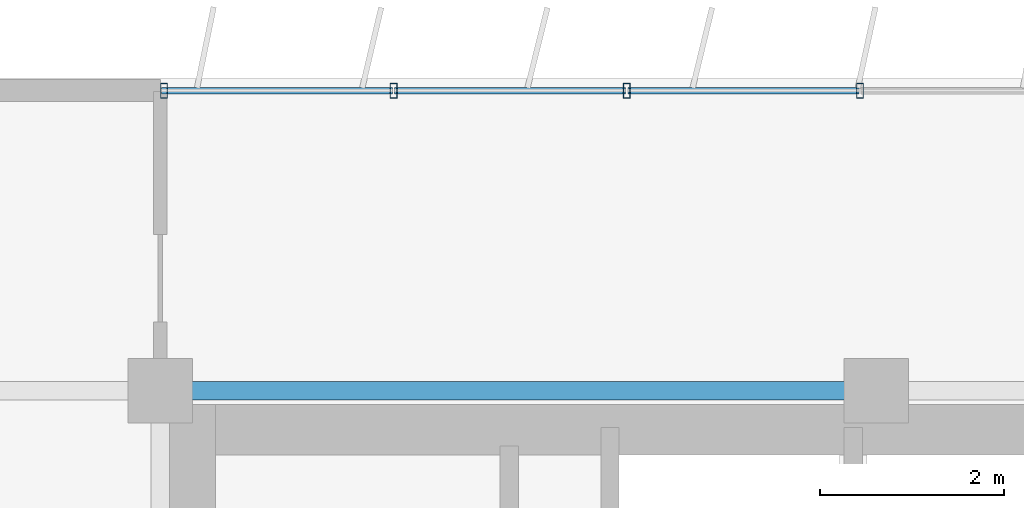
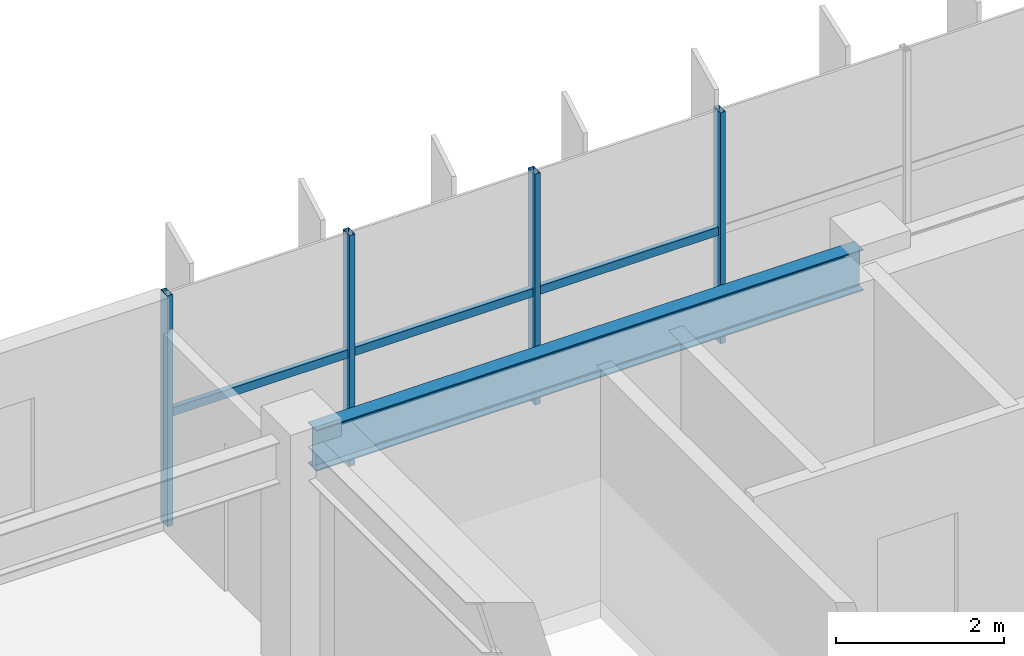
# One storey, part 4 of 20: 7 members, 1 beam, 1 element without a shape of its own.
"""IFC4 building model written with IfcOpenShell, lengths in metres."""

from ifc_helpers import new_model, si_unit, direction, frame, origin, origin_2d, place, context, subcontext, project, spatial, hollow_rectangle, i_section, extrude, source, transform, mapped, material, material_profile, profile_set, type_object, element, aggregate, save


model = new_model("IFC4")

# Units and contexts
model_context = context("Model", 3, precision=1e-05, world=origin(), true_north=direction((0.0, 1.0)))
body_context = subcontext(model_context, "Body", "Model", "MODEL_VIEW")
ifc_project = project(units=[si_unit("LENGTHUNIT", "METRE"), si_unit("AREAUNIT", "SQUARE_METRE"), si_unit("VOLUMEUNIT", "CUBIC_METRE"), si_unit("PLANEANGLEUNIT", "RADIAN"), si_unit("MASSUNIT", "GRAM", prefix="KILO")], contexts=[model_context])

# Site, building, storey
site_placement = place(None, origin())
site = spatial("IfcSite", under=ifc_project, at=site_placement, CompositionType="ELEMENT")
building_placement = place(site_placement, origin())
building = spatial("IfcBuilding", under=site, at=building_placement, Name="Trelvane Seafront Commons", CompositionType="ELEMENT")
storey_placement = place(building_placement, frame((0.0, 0.0, 146.5)))
storey = spatial("IfcBuildingStorey", under=building, at=storey_placement, Name="L38", CompositionType="ELEMENT", Elevation=146.5)

# Beam
ifc_material_1 = material(Name="Steel SM355 (S355)", Category="steel")
ifc_material_profile_1 = material_profile(ifc_material_1, i_section(OverallWidth=0.199951171875, OverallDepth=0.60009765625, WebThickness=0.010986328125, FlangeThickness=0.01708984375, at=origin_2d()), Name="H-600x200x11x17")
ifc_profile_set_1 = profile_set([ifc_material_profile_1], Name="Steel SM355 (S355)")
beam_type = type_object("IfcBeamType", Name="STR-SPD-H600", PredefinedType="SPANDREL", material=ifc_profile_set_1)
shared_shape_1 = source(origin(), body_context, "Body", "SweptSolid", [
    extrude(i_section(OverallWidth=0.199951171875, OverallDepth=0.60009765625, WebThickness=0.010986328125, FlangeThickness=0.01708984375, at=origin_2d()), origin(), (0.0, 0.0, 1.0), 7.5),
])
beam_placement = place(storey_placement, frame((15.75, 45.10009765625, 3.050048828125), z_axis=(1.0, 0.0, 0.0), x_axis=(0.0, 1.0, 0.0)))
element("IfcBeam", 1, at=beam_placement, inside=storey, type_object=beam_type, Name="L38 Primary Girder G-23", PredefinedType="SPANDREL", context=body_context, shape_type="MappedRepresentation", body=[
    mapped(shared_shape_1, transform((0.0, 0.0, 0.0), x_axis=(1.0, 0.0, 0.0), y_axis=(0.0, 1.0, 0.0), z_axis=(0.0, 0.0, 1.0), scale=1.0)),
])

# Curtain wall, members
ifc_material_2 = material(Name="Anodised pale-silver aluminium", Category="aluminium")
curtain_wall_type = type_object("IfcCurtainWallType", Name="ARCH-CW5-UPTOWER", PredefinedType="NOTDEFINED", material=ifc_material_2)
curtain_wall_placement = place(storey_placement, origin())
curtain_wall = element("IfcCurtainWall", 2, at=curtain_wall_placement, inside=storey, type_object=curtain_wall_type, Name="CW-L38-0065", PredefinedType="NOTDEFINED")
ifc_material_profile_2 = material_profile(ifc_material_2, hollow_rectangle(XDim=0.070068359375, YDim=0.1201171875, WallThickness=0.00390625, at=origin_2d()), Name="TRAN-70x120x4")
ifc_profile_set_2 = profile_set([ifc_material_profile_2], Name="Anodised pale-silver aluminium")
member_type_1 = type_object("IfcMemberType", Name="ARCH-CW-TRAN-120", PredefinedType="USERDEFINED", material=ifc_profile_set_2)
shared_shape_2 = source(origin(), body_context, "Body", "SweptSolid", [
    extrude(hollow_rectangle(XDim=0.070068359375, YDim=0.1201171875, WallThickness=0.00390625, at=origin_2d()), origin(), (0.0, 0.0, 1.0), 2.51708984375),
])
member_1_placement = place(storey_placement, frame((15.612060546875, 48.3701171875, 1.60791015625), z_axis=(1.0, 0.0, 0.0), x_axis=(0.0, 1.0, 0.0)))
member_1 = element("IfcMember", 3, at=member_1_placement, type_object=member_type_1, Name="CW-L38-0065-T00", ObjectType="TRANSOM", PredefinedType="USERDEFINED", context=body_context, shape_type="MappedRepresentation", body=[
    mapped(shared_shape_2, transform((0.0, 0.0, 0.0), x_axis=(1.0, 0.0, 0.0), y_axis=(0.0, 1.0, 0.0), z_axis=(0.0, 0.0, 1.0), scale=1.0)),
])
member_2_placement = place(storey_placement, frame((18.1533203125, 48.3701171875, 1.60791015625), z_axis=(1.0, 0.0, 0.0), x_axis=(0.0, 1.0, 0.0)))
member_2 = element("IfcMember", 4, at=member_2_placement, type_object=member_type_1, Name="CW-L38-0065-T01", ObjectType="TRANSOM", PredefinedType="USERDEFINED", context=body_context, shape_type="MappedRepresentation", body=[
    mapped(shared_shape_2, transform((0.0, 0.0, 0.0), x_axis=(1.0, 0.0, 0.0), y_axis=(0.0, 1.0, 0.0), z_axis=(0.0, 0.0, 1.0), scale=1.0)),
])
member_3_placement = place(storey_placement, frame((20.6943359375, 48.3701171875, 1.60791015625), z_axis=(1.0, 0.0, 0.0), x_axis=(0.0, 1.0, 0.0)))
member_3 = element("IfcMember", 5, at=member_3_placement, type_object=member_type_1, Name="CW-L38-0065-T02", ObjectType="TRANSOM", PredefinedType="USERDEFINED", context=body_context, shape_type="MappedRepresentation", body=[
    mapped(shared_shape_2, transform((0.0, 0.0, 0.0), x_axis=(1.0, 0.0, 0.0), y_axis=(0.0, 1.0, 0.0), z_axis=(0.0, 0.0, 1.0), scale=1.0)),
])
ifc_material_profile_3 = material_profile(ifc_material_2, hollow_rectangle(XDim=0.074951171875, YDim=0.159912109375, WallThickness=0.00390625, at=origin_2d()), Name="MULL-75x160x4")
ifc_profile_set_3 = profile_set([ifc_material_profile_3], Name="Anodised pale-silver aluminium")
member_type_2 = type_object("IfcMemberType", Name="ARCH-CW-MULL-160", PredefinedType="MULLION", material=ifc_profile_set_3)
shared_shape_3 = source(origin(), body_context, "Body", "SweptSolid", [
    extrude(hollow_rectangle(XDim=0.074951171875, YDim=0.159912109375, WallThickness=0.00390625, at=origin_2d()), origin(), (0.0, 0.0, 1.0), 3.35009765625),
])
member_4_placement = place(storey_placement, frame((15.639892578125, 48.3701171875, 0.0), z_axis=(0.0, 0.0, 1.0), x_axis=(1.0, 0.0, 0.0)))
member_4 = element("IfcMember", 6, at=member_4_placement, type_object=member_type_2, Name="CW-L38-0065-M00", PredefinedType="MULLION", context=body_context, shape_type="MappedRepresentation", body=[
    mapped(shared_shape_3, transform((0.0, 0.0, 0.0), x_axis=(1.0, 0.0, 0.0), y_axis=(0.0, 1.0, 0.0), z_axis=(0.0, 0.0, 1.0), scale=1.0)),
])
member_5_placement = place(storey_placement, frame((18.14111328125, 48.3701171875, 0.0), z_axis=(0.0, 0.0, 1.0), x_axis=(1.0, 0.0, 0.0)))
member_5 = element("IfcMember", 7, at=member_5_placement, type_object=member_type_2, Name="CW-L38-0065-M01", PredefinedType="MULLION", context=body_context, shape_type="MappedRepresentation", body=[
    mapped(shared_shape_3, transform((0.0, 0.0, 0.0), x_axis=(1.0, 0.0, 0.0), y_axis=(0.0, 1.0, 0.0), z_axis=(0.0, 0.0, 1.0), scale=1.0)),
])
member_6_placement = place(storey_placement, frame((20.682373046875, 48.3701171875, 0.0), z_axis=(0.0, 0.0, 1.0), x_axis=(1.0, 0.0, 0.0)))
member_6 = element("IfcMember", 8, at=member_6_placement, type_object=member_type_2, Name="CW-L38-0065-M02", PredefinedType="MULLION", context=body_context, shape_type="MappedRepresentation", body=[
    mapped(shared_shape_3, transform((0.0, 0.0, 0.0), x_axis=(1.0, 0.0, 0.0), y_axis=(0.0, 1.0, 0.0), z_axis=(0.0, 0.0, 1.0), scale=1.0)),
])
member_7_placement = place(storey_placement, frame((23.223388671875, 48.3701171875, 0.0), z_axis=(0.0, 0.0, 1.0), x_axis=(1.0, 0.0, 0.0)))
member_7 = element("IfcMember", 9, at=member_7_placement, type_object=member_type_2, Name="CW-L38-0065-M03", PredefinedType="MULLION", context=body_context, shape_type="MappedRepresentation", body=[
    mapped(shared_shape_3, transform((0.0, 0.0, 0.0), x_axis=(1.0, 0.0, 0.0), y_axis=(0.0, 1.0, 0.0), z_axis=(0.0, 0.0, 1.0), scale=1.0)),
])
aggregate(curtain_wall, [member_4, member_5, member_6, member_7, member_1, member_2, member_3])

save(model, "model.ifc")
